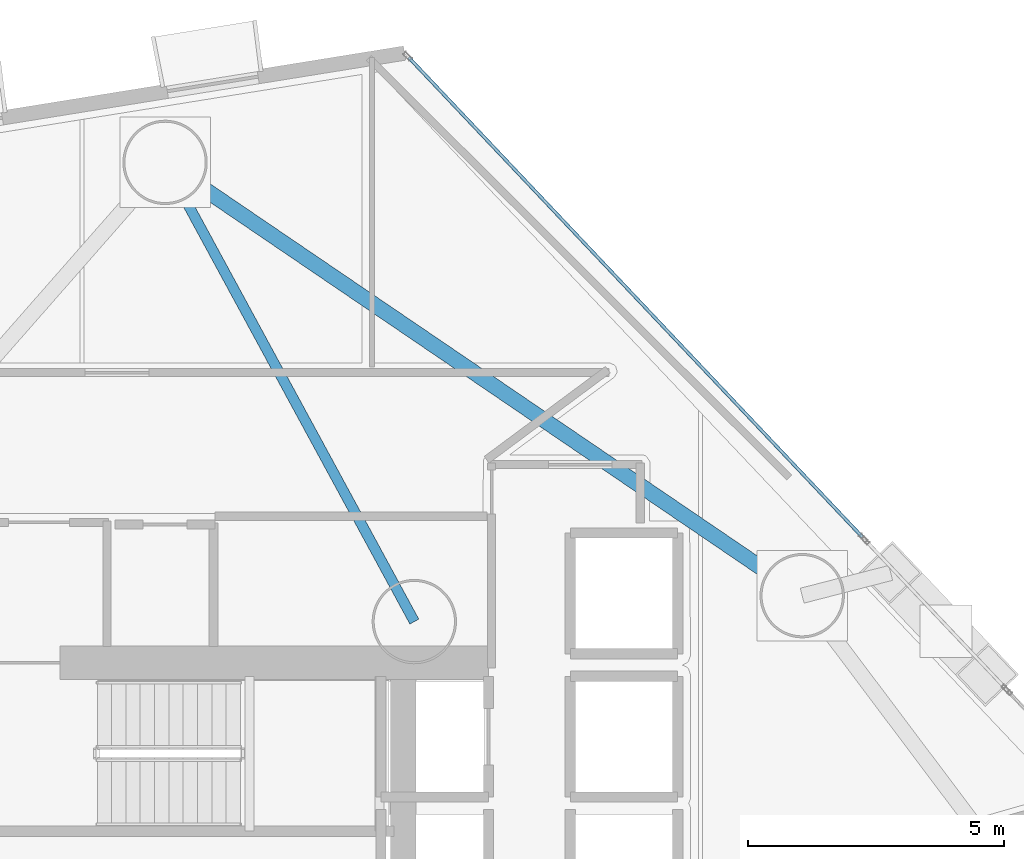
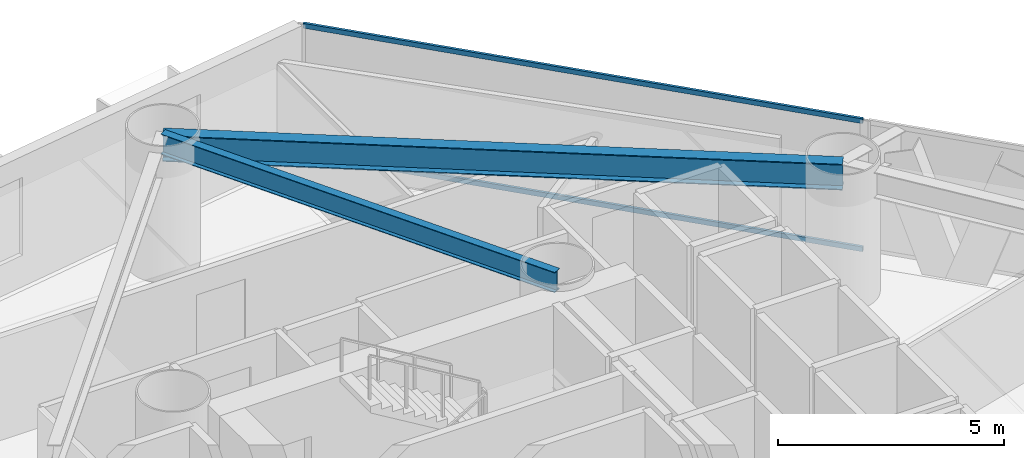
# One storey, part 11 of 23: 2 beams, 2 members, 1 element without a shape of its own.
"""IFC4 building model written with IfcOpenShell, lengths in metres."""

from ifc_helpers import new_model, si_unit, direction, frame, origin, origin_2d, place, context, subcontext, project, spatial, hollow_rectangle, i_section, extrude, material, layer, layer_set, material_profile, profile_set, type_object, element, aggregate, save


model = new_model("IFC4")

# Units and contexts
model_context = context("Model", 3, precision=1e-05, world=origin(), true_north=direction((0.0, 1.0)))
body_context = subcontext(model_context, "Body", "Model", "MODEL_VIEW")
ifc_project = project(units=[si_unit("LENGTHUNIT", "METRE"), si_unit("AREAUNIT", "SQUARE_METRE"), si_unit("VOLUMEUNIT", "CUBIC_METRE"), si_unit("PLANEANGLEUNIT", "RADIAN"), si_unit("MASSUNIT", "GRAM", prefix="KILO")], contexts=[model_context])

# Site, building, storey
site_placement = place(None, origin())
site = spatial("IfcSite", under=ifc_project, at=site_placement, CompositionType="ELEMENT")
building_placement = place(site_placement, origin())
building = spatial("IfcBuilding", under=site, at=building_placement, Name="Qianvela Tower", CompositionType="ELEMENT")
storey_placement = place(building_placement, frame((0.0, 0.0, 52.5)))
storey = spatial("IfcBuildingStorey", under=building, at=storey_placement, Name="L12", CompositionType="ELEMENT", Elevation=52.5)

# Beams
ifc_material_1 = material(Name="Steel Q355B", Category="steel")
ifc_material_profile_1 = material_profile(ifc_material_1, i_section(OverallWidth=0.199951171875, OverallDepth=0.550048828125, WebThickness=0.010009765625, FlangeThickness=0.01611328125, at=origin_2d()), Name="HN550x200x10x16")
ifc_profile_set_1 = profile_set([ifc_material_profile_1], Name="Steel Q355B")
beam_type_1 = type_object("IfcBeamType", Name="BM-HN550-GIRD", PredefinedType="BEAM", material=ifc_profile_set_1)
beam_1_placement = place(storey_placement, frame((38.39990234375, 33.550048828125, 3.242919921875), z_axis=(-0.477069714043, 0.878865454972, 0.0), x_axis=(-0.878865454972, -0.477069714043, 0.0)))
element("IfcBeam", 1, at=beam_1_placement, inside=storey, type_object=beam_type_1, Name="L12 Radial Primary Floor Girder 3", PredefinedType="BEAM", context=body_context, shape_type="SweptSolid", body=[
    extrude(i_section(OverallWidth=0.199951171875, OverallDepth=0.550048828125, WebThickness=0.010009765625, FlangeThickness=0.01611328125, at=origin_2d()), origin(), (0.0, 0.0, 1.0), 10.216552734375),
])
ifc_material_2 = material(Name="Steel Q355B", Category="steel")
ifc_material_profile_2 = material_profile(ifc_material_2, i_section(OverallWidth=0.300048828125, OverallDepth=0.699951171875, WebThickness=0.012939453125, FlangeThickness=0.02392578125, at=origin_2d()), Name="HN700x300x13x24")
ifc_profile_set_2 = profile_set([ifc_material_profile_2], Name="Steel Q355B")
beam_type_2 = type_object("IfcBeamType", Name="BM-HN700-SPAND", PredefinedType="SPANDREL", material=ifc_profile_set_2)
beam_2_placement = place(storey_placement, frame((45.98388671875, 34.056884765625, 3.16796875), z_axis=(-0.826904197504, 0.562342820839, 0.0), x_axis=(-0.562342820839, -0.826904197504, 0.0)))
element("IfcBeam", 2, at=beam_2_placement, inside=storey, type_object=beam_type_2, Name="L12 Perimeter Ring Spandrel Girder 2", PredefinedType="SPANDREL", context=body_context, shape_type="SweptSolid", body=[
    extrude(i_section(OverallWidth=0.300048828125, OverallDepth=0.699951171875, WebThickness=0.012939453125, FlangeThickness=0.02392578125, at=origin_2d()), origin(), (0.0, 0.0, 1.0), 15.06591796875),
])

# Curtain wall, members
ifc_material_3 = material(Name="Anodised Architectural Aluminium and Low-E Glass", Category="aluminium")
ifc_layer = layer(ifc_material_3, 0.179931640625)
ifc_layer_set = layer_set([ifc_layer], Name="Anodised Architectural Aluminium and Low-E Glass")
curtain_wall_type = type_object("IfcCurtainWallType", Name="CW-COLIV-Z12", PredefinedType="USERDEFINED", material=ifc_layer_set)
curtain_wall_placement = place(storey_placement, origin())
curtain_wall = element("IfcCurtainWall", 3, at=curtain_wall_placement, inside=storey, type_object=curtain_wall_type, Name="L12 CW-COLIV-Z12 Curtain Wall 02C", ObjectType="CURTAIN_WALL_SYSTEM", PredefinedType="USERDEFINED")
ifc_material_4 = material(Name="Anodised Architectural Aluminium 6063-T6", Category="aluminium")
ifc_material_profile_3 = material_profile(ifc_material_4, hollow_rectangle(XDim=0.06494140625, YDim=0.1298828125, WallThickness=0.00439453125, at=origin_2d()), Name="ALU-TRAN-65x130")
ifc_profile_set_3 = profile_set([ifc_material_profile_3], Name="Anodised Architectural Aluminium 6063-T6")
member_type = type_object("IfcMemberType", Name="CW-COLIV-Z12-TRAN", PredefinedType="USERDEFINED", material=ifc_profile_set_3)
member_1_placement = place(storey_placement, frame((47.15771484375, 35.206787109375, 0.032470703125), z_axis=(-0.687171781691, 0.726494970697, 0.0), x_axis=(-0.726494970697, -0.687171781691, 0.0)))
member_1 = element("IfcMember", 4, at=member_1_placement, type_object=member_type, Name="CW-3 transom 1.1", ObjectType="TRANSOM", PredefinedType="USERDEFINED", context=body_context, shape_type="SweptSolid", body=[
    extrude(hollow_rectangle(XDim=0.06494140625, YDim=0.1298828125, WallThickness=0.00439453125, at=origin_2d()), origin(), (0.0, 0.0, 1.0), 12.9013671875),
])
member_2_placement = place(storey_placement, frame((47.15771484375, 35.206787109375, 3.487548828125), z_axis=(-0.687171781691, 0.726494970697, 0.0), x_axis=(-0.726494970697, -0.687171781691, 0.0)))
member_2 = element("IfcMember", 5, at=member_2_placement, type_object=member_type, Name="CW-3 transom 1.2", ObjectType="TRANSOM", PredefinedType="USERDEFINED", context=body_context, shape_type="SweptSolid", body=[
    extrude(hollow_rectangle(XDim=0.06494140625, YDim=0.1298828125, WallThickness=0.00439453125, at=origin_2d()), origin(), (0.0, 0.0, 1.0), 12.9013671875),
])
aggregate(curtain_wall, [member_1, member_2])

save(model, "model.ifc")
